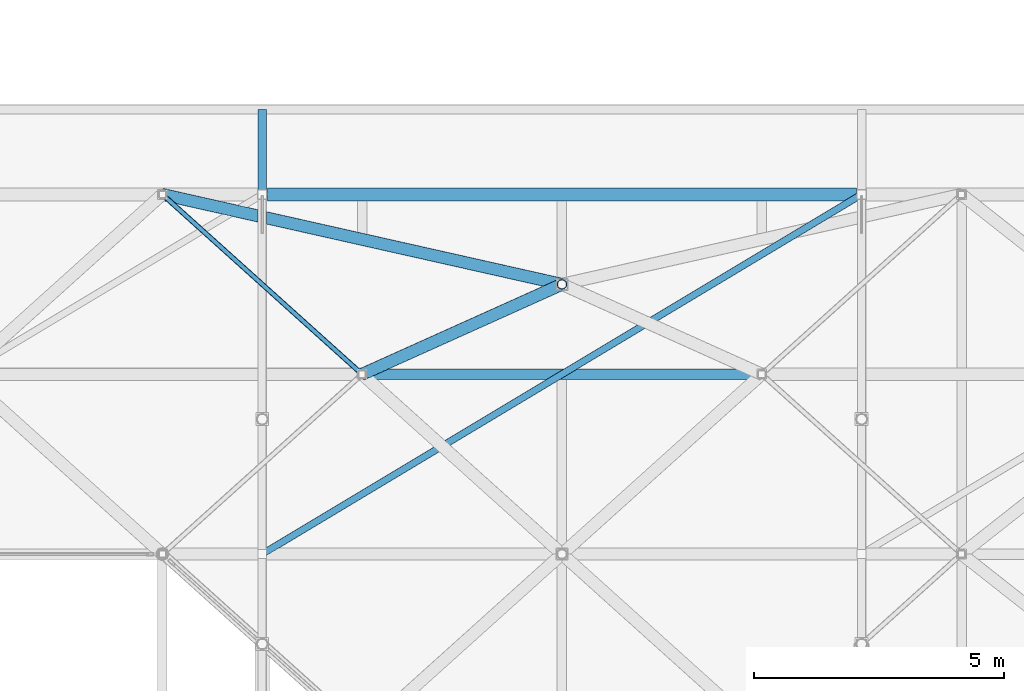
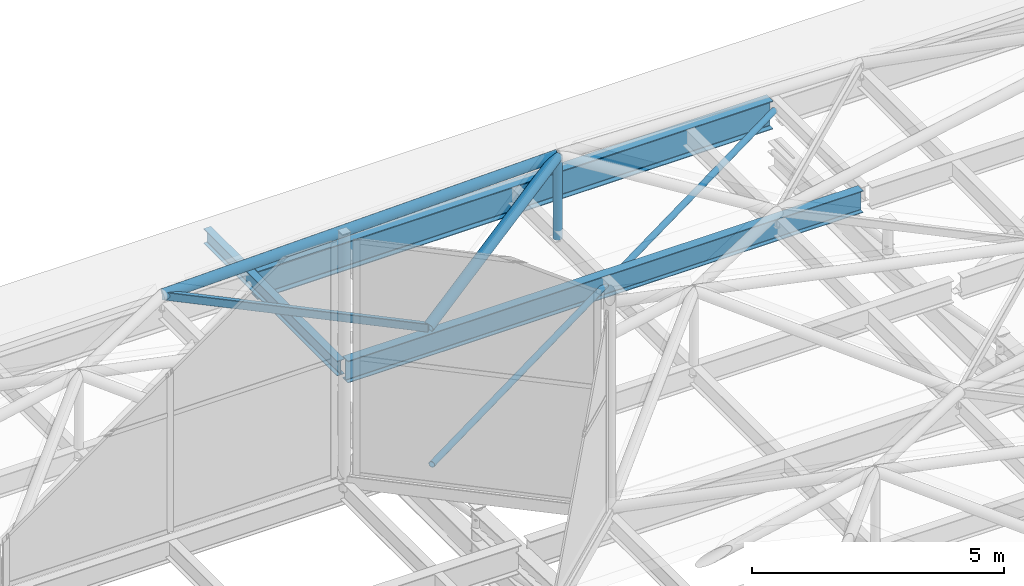
# One storey, part 141 of 239: 4 beams, 4 members.
"""IFC4 building model written with IfcOpenShell, lengths in metres."""

from ifc_helpers import new_model, si_unit, direction, frame, origin, origin_2d, place, context, subcontext, project, spatial, hollow_rectangle, hollow_circle, i_section, extrude, material, material_profile, profile_set, type_object, element, save


model = new_model("IFC4")

# Units and contexts
model_context = context("Model", 3, precision=1e-05, world=origin(), true_north=direction((0.0, 1.0)))
body_context = subcontext(model_context, "Body", "Model", "MODEL_VIEW")
ifc_project = project(units=[si_unit("LENGTHUNIT", "METRE"), si_unit("AREAUNIT", "SQUARE_METRE"), si_unit("VOLUMEUNIT", "CUBIC_METRE"), si_unit("PLANEANGLEUNIT", "RADIAN"), si_unit("MASSUNIT", "GRAM", prefix="KILO")], contexts=[model_context])

# Site, building, storey
site_placement = place(None, origin())
site = spatial("IfcSite", under=ifc_project, at=site_placement, CompositionType="ELEMENT")
building_placement = place(site_placement, origin())
building = spatial("IfcBuilding", under=site, at=building_placement, Name="Dunvalen Ferry Terminal", CompositionType="ELEMENT")
storey_placement = place(building_placement, frame((0.0, 0.0, 9.840087890625)))
storey = spatial("IfcBuildingStorey", under=building, at=storey_placement, Name="L02", CompositionType="ELEMENT", Elevation=9.840087890625)

# Beams
ifc_material = material(Name="Steel S355", Category="steel")
ifc_material_profile_1 = material_profile(ifc_material, i_section(OverallWidth=0.169921875, OverallDepth=0.360107421875, WebThickness=0.008056640625, FlangeThickness=0.0126953125, FilletRadius=0.01806640625, at=origin_2d()), Name="Steel S355")
ifc_profile_set_1 = profile_set([ifc_material_profile_1], Name="Steel S355")
beam_type_1 = type_object("IfcBeamType", Name="STR-BM-IPE360", PredefinedType="BEAM", material=ifc_profile_set_1)
beam_1_placement = place(storey_placement, frame((72.0, 82.800048828125, 0.81982421875), z_axis=(0.0, 1.0, 0.0), x_axis=(-1.0, 0.0, 0.0)))
element("IfcBeam", 1, at=beam_1_placement, inside=storey, type_object=beam_type_1, Name="Departure Hall North Eave Outrigger 11", PredefinedType="BEAM", context=body_context, shape_type="SweptSolid", body=[
    extrude(i_section(OverallWidth=0.169921875, OverallDepth=0.360107421875, WebThickness=0.008056640625, FlangeThickness=0.0126953125, FilletRadius=0.01806640625, at=origin_2d()), origin(), (0.0, 0.0, 1.0), 5.300048828125),
])
ifc_material_profile_2 = material_profile(ifc_material, hollow_rectangle(XDim=0.10009765625, YDim=0.199951171875, WallThickness=0.008056640625, InnerFilletRadius=0.008056640625, OuterFilletRadius=0.01611328125, at=origin_2d()), Name="Steel S355")
ifc_profile_set_2 = profile_set([ifc_material_profile_2], Name="Steel S355")
beam_type_2 = type_object("IfcBeamType", Name="STR-BM-RHS200", PredefinedType="BEAM", material=ifc_profile_set_2)
beam_2_placement = place(storey_placement, frame((74.0, 82.800048828125, 1.099853515625), z_axis=(-0.74330768127, 0.668949692402, 0.0), x_axis=(-0.668949692402, -0.74330768127, 0.0)))
element("IfcBeam", 2, at=beam_2_placement, inside=storey, type_object=beam_type_2, Name="HEX-33 Hexagonal Rim Beam 4", PredefinedType="BEAM", context=body_context, shape_type="SweptSolid", body=[
    extrude(hollow_rectangle(XDim=0.10009765625, YDim=0.199951171875, WallThickness=0.008056640625, InnerFilletRadius=0.008056640625, OuterFilletRadius=0.01611328125, at=origin_2d()), origin(), (0.0, 0.0, 1.0), 5.38134765625),
])
ifc_material_profile_3 = material_profile(ifc_material, i_section(OverallWidth=0.209228515625, OverallDepth=0.533203125, WebThickness=0.010009765625, FlangeThickness=0.015625, FilletRadius=0.0126953125, at=origin_2d()), Name="Steel S355")
ifc_profile_set_3 = profile_set([ifc_material_profile_3], Name="Steel S355")
beam_type_3 = type_object("IfcBeamType", Name="STR-BM-UKB533", PredefinedType="BEAM", material=ifc_profile_set_3)
beam_3_placement = place(storey_placement, frame((72.10009765625, 82.800048828125, 0.7333984375), z_axis=(1.0, 0.0, 0.0), x_axis=(0.0, 1.0, 0.0)))
element("IfcBeam", 3, at=beam_3_placement, inside=storey, type_object=beam_type_3, Name="Departure Hall Spine Girder B6.10", PredefinedType="BEAM", context=body_context, shape_type="SweptSolid", body=[
    extrude(i_section(OverallWidth=0.209228515625, OverallDepth=0.533203125, WebThickness=0.010009765625, FlangeThickness=0.015625, FilletRadius=0.0126953125, at=origin_2d()), origin(), (0.0, 0.0, 1.0), 11.7998046875),
])
ifc_material_profile_4 = material_profile(ifc_material, i_section(OverallWidth=0.253662109375, OverallDepth=0.68359375, WebThickness=0.012451171875, FlangeThickness=0.01904296875, FilletRadius=0.01513671875, at=origin_2d()), Name="Steel S355")
ifc_profile_set_4 = profile_set([ifc_material_profile_4], Name="Steel S355")
beam_type_4 = type_object("IfcBeamType", Name="STR-BM-UKB686", PredefinedType="BEAM", material=ifc_profile_set_4)
beam_4_placement = place(storey_placement, frame((72.10009765625, 86.39990234375, 0.658203125), z_axis=(1.0, 0.0, 0.0), x_axis=(0.0, 1.0, 0.0)))
element("IfcBeam", 4, at=beam_4_placement, inside=storey, type_object=beam_type_4, Name="Departure Hall Spine Girder B6.11", PredefinedType="BEAM", context=body_context, shape_type="SweptSolid", body=[
    extrude(i_section(OverallWidth=0.253662109375, OverallDepth=0.68359375, WebThickness=0.012451171875, FlangeThickness=0.01904296875, FilletRadius=0.01513671875, at=origin_2d()), origin(), (0.0, 0.0, 1.0), 11.7998046875),
])

# Members
ifc_material_profile_5 = material_profile(ifc_material, hollow_circle(Radius=0.06982421875, WallThickness=0.00634765625, at=origin_2d()), Name="Steel S355")
ifc_profile_set_5 = profile_set([ifc_material_profile_5], Name="Steel S355")
member_type_1 = type_object("IfcMemberType", Name="STR-MB-CHS139", PredefinedType="BRACE", material=ifc_profile_set_5)
member_1_placement = place(storey_placement, frame((72.0, 79.199951171875, 0.659912109375), z_axis=(0.857494465041, 0.514493189871, 0.0), x_axis=(-0.514493189871, 0.857494465041, 0.0)))
element("IfcMember", 5, at=member_1_placement, inside=storey, type_object=member_type_1, Name="Departure Hall Roof Wind Brace 6A", PredefinedType="BRACE", context=body_context, shape_type="SweptSolid", body=[
    extrude(hollow_circle(Radius=0.06982421875, WallThickness=0.00634765625, at=origin_2d()), origin(), (0.0, 0.0, 1.0), 13.994140625),
])
ifc_material_profile_6 = material_profile(ifc_material, hollow_circle(Radius=0.096923828125, WallThickness=0.008056640625, at=origin_2d()), Name="Steel S355")
ifc_profile_set_6 = profile_set([ifc_material_profile_6], Name="Steel S355")
member_type_2 = type_object("IfcMemberType", Name="STR-MB-CHS193", PredefinedType="STRUT", material=ifc_profile_set_6)
member_2_placement = place(storey_placement, frame((78.0, 84.60009765625, 0.77001953125), z_axis=(0.0, 0.0, 1.0), x_axis=(1.0, 0.0, 0.0)))
element("IfcMember", 6, at=member_2_placement, inside=storey, type_object=member_type_2, Name="HEX-39 Pyramid Apex Strut", PredefinedType="STRUT", context=body_context, shape_type="SweptSolid", body=[
    extrude(hollow_circle(Radius=0.096923828125, WallThickness=0.008056640625, at=origin_2d()), origin(), (0.0, 0.0, 1.0), 1.994873046875),
])
ifc_material_profile_7 = material_profile(ifc_material, hollow_circle(Radius=0.122314453125, WallThickness=0.010009765625, at=origin_2d()), Name="Steel S355")
ifc_profile_set_7 = profile_set([ifc_material_profile_7], Name="Steel S355")
member_type_3 = type_object("IfcMemberType", Name="STR-MB-CHS244", PredefinedType="STRUT", material=ifc_profile_set_7)
member_3_placement = place(storey_placement, frame((70.0, 86.39990234375, 1.099853515625), z_axis=(0.956103315715, -0.21509990367, 0.198993671056), x_axis=(0.21948952406, 0.97561485681, 0.0)))
element("IfcMember", 7, at=member_3_placement, inside=storey, type_object=member_type_3, Name="HEX-39 Pyramid Hip Rafter 1", PredefinedType="STRUT", context=body_context, shape_type="SweptSolid", body=[
    extrude(hollow_circle(Radius=0.122314453125, WallThickness=0.010009765625, at=origin_2d()), origin(), (0.0, 0.0, 1.0), 8.3671875),
])
member_4_placement = place(storey_placement, frame((74.0, 82.800048828125, 1.099853515625), z_axis=(0.852560097395, 0.383662451056, 0.354886466323), x_axis=(-0.410373934525, 0.91191733938, 0.0)))
element("IfcMember", 8, at=member_4_placement, inside=storey, type_object=member_type_3, Name="HEX-39 Pyramid Hip Rafter 2", PredefinedType="STRUT", context=body_context, shape_type="SweptSolid", body=[
    extrude(hollow_circle(Radius=0.122314453125, WallThickness=0.010009765625, at=origin_2d()), origin(), (0.0, 0.0, 1.0), 4.691650390625),
])

save(model, "model.ifc")
